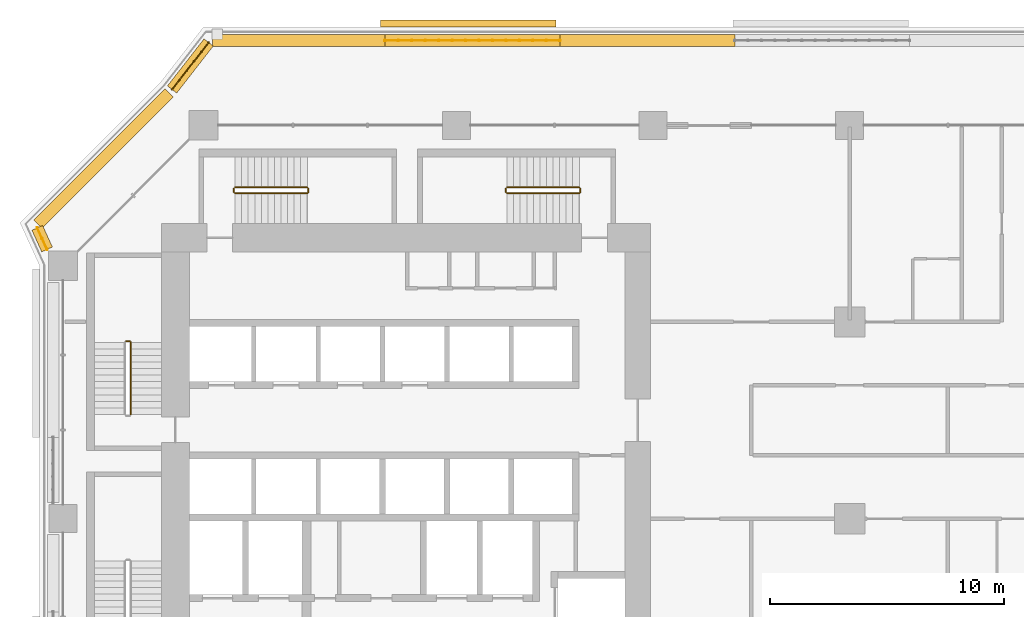
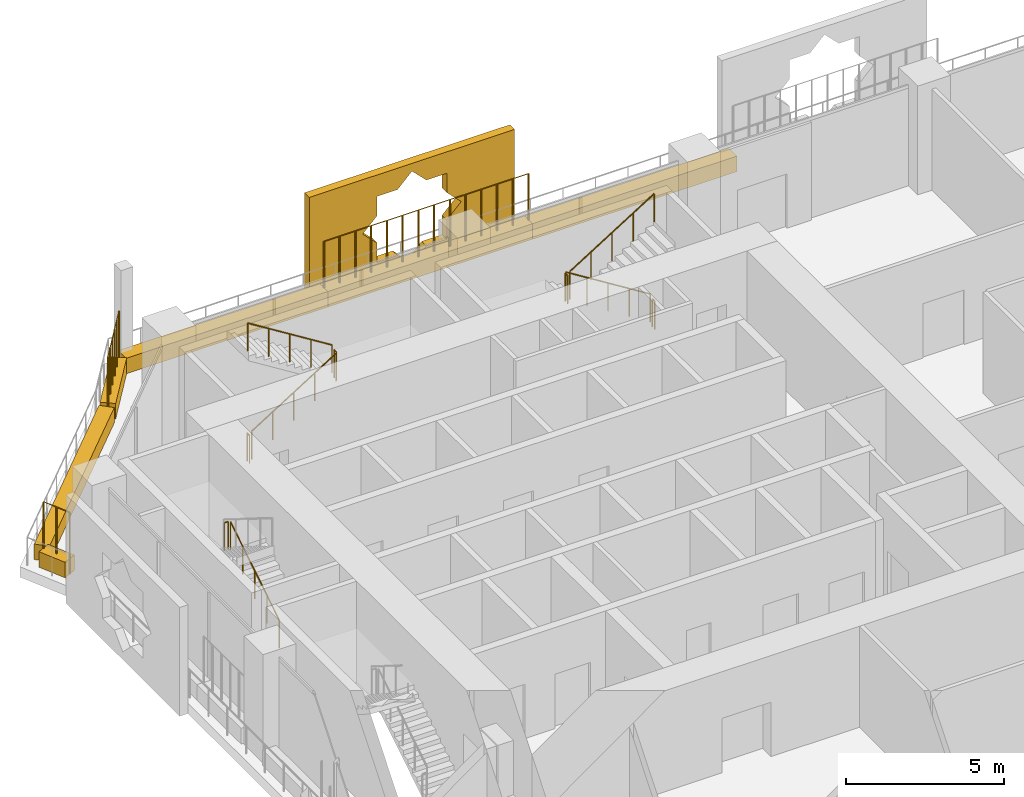
# One storey, part 25 of 27: 13 railings, 7 coverings.
"""IFC4 building model written with IfcOpenShell, lengths in metres."""

from ifc_helpers import new_model, si_unit, direction, frame, origin, origin_2d, place, context, subcontext, project, spatial, polyline, rectangle, circle, outline, extrude, material, material_profile, profile_set, type_object, element, save


model = new_model("IFC4")

# Units and contexts
model_context = context("Model", 3, precision=1e-05, world=origin(), true_north=direction((0.0, 1.0)))
body_context = subcontext(model_context, "Body", "Model", "MODEL_VIEW")
ifc_project = project(units=[si_unit("LENGTHUNIT", "METRE"), si_unit("AREAUNIT", "SQUARE_METRE"), si_unit("VOLUMEUNIT", "CUBIC_METRE"), si_unit("PLANEANGLEUNIT", "RADIAN"), si_unit("MASSUNIT", "GRAM", prefix="KILO")], contexts=[model_context])

# Site, building, storey
site_placement = place(None, origin())
site = spatial("IfcSite", under=ifc_project, at=site_placement, CompositionType="ELEMENT")
building_placement = place(site_placement, origin())
building = spatial("IfcBuilding", under=site, at=building_placement, Name="Kawkab Arch Medical Tower", CompositionType="ELEMENT")
storey_placement = place(building_placement, frame((0.0, 0.0, 85.39990234375)))
storey = spatial("IfcBuildingStorey", under=building, at=storey_placement, Name="L19", CompositionType="ELEMENT", Elevation=85.39990234375)

# Coverings
ifc_material_1 = material(Name="Bronze anodised aluminium mashrabiya panel, eight-point star pattern", Category="aluminium")
ifc_material_profile_1 = material_profile(ifc_material_1, outline(polyline([(-3.75, -2.10009765625), (3.75, -2.10009765625), (3.75, 2.10009765625), (-3.75, 2.10009765625), (-3.75, -2.10009765625)]), holes=[polyline([(1.800048828125, 0.0), (1.272705078125, 0.527099609375), (1.272705078125, 1.272705078125), (0.527099609375, 1.272705078125), (0.0, 1.800048828125), (-0.527099609375, 1.272705078125), (-1.272705078125, 1.272705078125), (-1.272705078125, 0.527099609375), (-1.800048828125, 0.0), (-1.272705078125, -0.527099609375), (-1.272705078125, -1.272705078125), (-0.527099609375, -1.272705078125), (0.0, -1.800048828125), (0.527099609375, -1.272705078125), (1.272705078125, -1.272705078125), (1.272705078125, -0.527099609375), (1.800048828125, 0.0)])]), Name="Mashrabiya panel 7500x4200")
ifc_profile_set_1 = profile_set([ifc_material_profile_1], Name="Bronze anodised aluminium mashrabiya panel, eight-point star pattern")
covering_type_1 = type_object("IfcCoveringType", Name="Mashrabiya panel 7500 x 4200", PredefinedType="USERDEFINED", material=ifc_profile_set_1)
covering_1_placement = place(storey_placement, frame((17.30322265625, 4.199951171875, 1.7001953125), z_axis=(0.0, 1.0, 0.0), x_axis=(-1.0, 0.0, 0.0)))
element("IfcCovering", 1, at=covering_1_placement, inside=storey, type_object=covering_type_1, Name="Mashrabiya panel L19.LOG-01-01.6", ObjectType="SCREEN", PredefinedType="USERDEFINED", context=body_context, shape_type="SweptSolid", body=[
    extrude(outline(polyline([(-3.75, -2.10009765625), (3.75, -2.10009765625), (3.75, 2.10009765625), (-3.75, 2.10009765625), (-3.75, -2.10009765625)]), holes=[polyline([(1.800048828125, 0.0), (1.272705078125, 0.527099609375), (1.272705078125, 1.272705078125), (0.527099609375, 1.272705078125), (0.0, 1.800048828125), (-0.527099609375, 1.272705078125), (-1.272705078125, 1.272705078125), (-1.272705078125, 0.527099609375), (-1.800048828125, 0.0), (-1.272705078125, -0.527099609375), (-1.272705078125, -1.272705078125), (-0.527099609375, -1.272705078125), (0.0, -1.800048828125), (0.527099609375, -1.272705078125), (1.272705078125, -1.272705078125), (1.272705078125, -0.527099609375), (1.800048828125, 0.0)])]), origin(), (0.0, 0.0, 1.0), 0.300048828125),
])
ifc_material_2 = material(Name="Planting soil in a precast trough", Category="concrete")
ifc_material_profile_2 = material_profile(ifc_material_2, rectangle(XDim=0.5, YDim=0.60009765625, at=origin_2d()), Name="Trough 500x600")
ifc_profile_set_2 = profile_set([ifc_material_profile_2], Name="Planting soil in a precast trough")
covering_type_2 = type_object("IfcCoveringType", Name="Planter trough 500 x 600", PredefinedType="USERDEFINED", material=ifc_profile_set_2)
covering_2_placement = place(storey_placement, frame((-0.680908203125, -5.302001953125, 0.300048828125), z_axis=(-0.415071571878, 0.909788761317, 0.0), x_axis=(-0.909788761317, -0.415071571878, 0.0)))
element("IfcCovering", 2, at=covering_2_placement, inside=storey, type_object=covering_type_2, Name="Planter L19.LOG-01-01.17", ObjectType="PLANTER", PredefinedType="USERDEFINED", context=body_context, shape_type="SweptSolid", body=[
    extrude(rectangle(XDim=0.5, YDim=0.60009765625, at=origin_2d()), origin(), (0.0, 0.0, 1.0), 1.0146484375),
])
covering_3_placement = place(storey_placement, frame((-1.072998046875, -4.217041015625, 0.300048828125), z_axis=(0.707106781187, 0.707106781187, 0.0), x_axis=(-0.707106781187, 0.707106781187, 0.0)))
element("IfcCovering", 3, at=covering_3_placement, inside=storey, type_object=covering_type_2, Name="Planter L19.LOG-01-01.18", ObjectType="PLANTER", PredefinedType="USERDEFINED", context=body_context, shape_type="SweptSolid", body=[
    extrude(rectangle(XDim=0.5, YDim=0.60009765625, at=origin_2d()), origin(), (0.0, 0.0, 1.0), 7.919677734375),
])
covering_4_placement = place(storey_placement, frame((4.658935546875, 1.531982421875, 0.300048828125), z_axis=(0.61404021143, 0.789274742246, 0.0), x_axis=(-0.789274742246, 0.61404021143, 0.0)))
element("IfcCovering", 4, at=covering_4_placement, inside=storey, type_object=covering_type_2, Name="Planter L19.LOG-01-01.19", ObjectType="PLANTER", PredefinedType="USERDEFINED", context=body_context, shape_type="SweptSolid", body=[
    extrude(rectangle(XDim=0.5, YDim=0.60009765625, at=origin_2d()), origin(), (0.0, 0.0, 1.0), 2.54541015625),
])
covering_5_placement = place(storey_placement, frame((6.384033203125, 3.6201171875, 0.300048828125), z_axis=(1.0, 0.0, 0.0), x_axis=(0.0, 1.0, 0.0)))
element("IfcCovering", 5, at=covering_5_placement, inside=storey, type_object=covering_type_2, Name="Planter L19.LOG-01-01.20", ObjectType="PLANTER", PredefinedType="USERDEFINED", context=body_context, shape_type="SweptSolid", body=[
    extrude(rectangle(XDim=0.5, YDim=0.60009765625, at=origin_2d()), origin(), (0.0, 0.0, 1.0), 7.369873046875),
])
covering_6_placement = place(storey_placement, frame((13.75390625, 3.6201171875, 0.300048828125), z_axis=(1.0, 0.0, 0.0), x_axis=(0.0, 1.0, 0.0)))
element("IfcCovering", 6, at=covering_6_placement, inside=storey, type_object=covering_type_2, Name="Planter L19.LOG-01-01.21", ObjectType="PLANTER", PredefinedType="USERDEFINED", context=body_context, shape_type="SweptSolid", body=[
    extrude(rectangle(XDim=0.5, YDim=0.60009765625, at=origin_2d()), origin(), (0.0, 0.0, 1.0), 7.47021484375),
])
covering_7_placement = place(storey_placement, frame((21.22412109375, 3.6201171875, 0.300048828125), z_axis=(1.0, 0.0, 0.0), x_axis=(0.0, 1.0, 0.0)))
element("IfcCovering", 7, at=covering_7_placement, inside=storey, type_object=covering_type_2, Name="Planter L19.LOG-01-01.22", ObjectType="PLANTER", PredefinedType="USERDEFINED", context=body_context, shape_type="SweptSolid", body=[
    extrude(rectangle(XDim=0.5, YDim=0.60009765625, at=origin_2d()), origin(), (0.0, 0.0, 1.0), 7.470947265625),
])

# Railings
ifc_material_3 = material(Name="Bronze anodised aluminium trellis for climbing plants", Category="aluminium")
railing_type_1 = type_object("IfcRailingType", Name="Planting trellis 2400", PredefinedType="USERDEFINED", material=ifc_material_3)
railing_1_placement = place(storey_placement, frame((-0.680908203125, -5.302001953125, 0.0)))
element("IfcRailing", 8, at=railing_1_placement, inside=storey, type_object=railing_type_1, Name="Planting trellis L19.LOG-01-01.17", ObjectType="TRELLIS", PredefinedType="USERDEFINED", context=body_context, shape_type="SweptSolid", body=[
    extrude(circle(Radius=0.01513671875, at=origin_2d()), frame((0.0, 0.0, 2.384765625), z_axis=(-0.415071571878, 0.909788761317, 0.0), x_axis=(-0.909788761317, -0.415071571878, 0.0)), (0.0, 0.0, 1.0), 1.0146484375),
    extrude(circle(Radius=0.030029296875, at=origin_2d()), origin(), (0.0, 0.0, 1.0), 2.369873046875),
    extrude(circle(Radius=0.030029296875, at=origin_2d()), frame((-0.21044921875, 0.46142578125, 0.0)), (0.0, 0.0, 1.0), 2.369873046875),
    extrude(circle(Radius=0.030029296875, at=origin_2d()), frame((-0.421142578125, 0.923095703125, 0.0)), (0.0, 0.0, 1.0), 2.369873046875),
])
railing_2_placement = place(storey_placement, frame((4.658935546875, 1.531982421875, 0.0)))
element("IfcRailing", 9, at=railing_2_placement, inside=storey, type_object=railing_type_1, Name="Planting trellis L19.LOG-01-01.19", ObjectType="TRELLIS", PredefinedType="USERDEFINED", context=body_context, shape_type="SweptSolid", body=[
    extrude(circle(Radius=0.01513671875, at=origin_2d()), frame((0.0, 0.0, 2.384765625), z_axis=(0.61404021143, 0.789274742246, 0.0), x_axis=(-0.789274742246, 0.61404021143, 0.0)), (0.0, 0.0, 1.0), 2.54541015625),
    extrude(circle(Radius=0.030029296875, at=origin_2d()), origin(), (0.0, 0.0, 1.0), 2.369873046875),
    extrude(circle(Radius=0.030029296875, at=origin_2d()), frame((0.3125, 0.40185546875, 0.0)), (0.0, 0.0, 1.0), 2.369873046875),
    extrude(circle(Radius=0.030029296875, at=origin_2d()), frame((0.625244140625, 0.8037109375, 0.0)), (0.0, 0.0, 1.0), 2.369873046875),
    extrude(circle(Radius=0.030029296875, at=origin_2d()), frame((0.937744140625, 1.205322265625, 0.0)), (0.0, 0.0, 1.0), 2.369873046875),
    extrude(circle(Radius=0.030029296875, at=origin_2d()), frame((1.25048828125, 1.607177734375, 0.0)), (0.0, 0.0, 1.0), 2.369873046875),
    extrude(circle(Radius=0.030029296875, at=origin_2d()), frame((1.56298828125, 2.009033203125, 0.0)), (0.0, 0.0, 1.0), 2.369873046875),
])
railing_3_placement = place(storey_placement, frame((13.75390625, 3.6201171875, 0.0)))
element("IfcRailing", 10, at=railing_3_placement, inside=storey, type_object=railing_type_1, Name="Planting trellis L19.LOG-01-01.21", ObjectType="TRELLIS", PredefinedType="USERDEFINED", context=body_context, shape_type="SweptSolid", body=[
    extrude(circle(Radius=0.01513671875, at=origin_2d()), frame((0.0, 0.0, 2.384765625), z_axis=(1.0, 0.0, 0.0), x_axis=(0.0, 1.0, 0.0)), (0.0, 0.0, 1.0), 7.47021484375),
    extrude(circle(Radius=0.030029296875, at=origin_2d()), origin(), (0.0, 0.0, 1.0), 2.369873046875),
    extrude(circle(Radius=0.030029296875, at=origin_2d()), frame((0.57470703125, 0.0, 0.0)), (0.0, 0.0, 1.0), 2.369873046875),
    extrude(circle(Radius=0.030029296875, at=origin_2d()), frame((1.149169921875, 0.0, 0.0)), (0.0, 0.0, 1.0), 2.369873046875),
    extrude(circle(Radius=0.030029296875, at=origin_2d()), frame((1.723876953125, 0.0, 0.0)), (0.0, 0.0, 1.0), 2.369873046875),
    extrude(circle(Radius=0.030029296875, at=origin_2d()), frame((2.298583984375, 0.0, 0.0)), (0.0, 0.0, 1.0), 2.369873046875),
    extrude(circle(Radius=0.030029296875, at=origin_2d()), frame((2.873046875, 0.0, 0.0)), (0.0, 0.0, 1.0), 2.369873046875),
    extrude(circle(Radius=0.030029296875, at=origin_2d()), frame((3.44775390625, 0.0, 0.0)), (0.0, 0.0, 1.0), 2.369873046875),
    extrude(circle(Radius=0.030029296875, at=origin_2d()), frame((4.0224609375, 0.0, 0.0)), (0.0, 0.0, 1.0), 2.369873046875),
    extrude(circle(Radius=0.030029296875, at=origin_2d()), frame((4.59716796875, 0.0, 0.0)), (0.0, 0.0, 1.0), 2.369873046875),
    extrude(circle(Radius=0.030029296875, at=origin_2d()), frame((5.171630859375, 0.0, 0.0)), (0.0, 0.0, 1.0), 2.369873046875),
    extrude(circle(Radius=0.030029296875, at=origin_2d()), frame((5.746337890625, 0.0, 0.0)), (0.0, 0.0, 1.0), 2.369873046875),
    extrude(circle(Radius=0.030029296875, at=origin_2d()), frame((6.321044921875, 0.0, 0.0)), (0.0, 0.0, 1.0), 2.369873046875),
    extrude(circle(Radius=0.030029296875, at=origin_2d()), frame((6.8955078125, 0.0, 0.0)), (0.0, 0.0, 1.0), 2.369873046875),
    extrude(circle(Radius=0.030029296875, at=origin_2d()), frame((7.47021484375, 0.0, 0.0)), (0.0, 0.0, 1.0), 2.369873046875),
])
ifc_material_4 = material(Name="Stainless steel", Category="steel")
railing_type_2 = type_object("IfcRailingType", Name="Stair guard 1100", PredefinedType="GUARDRAIL", material=ifc_material_4)
railing_4_placement = place(storey_placement, frame((2.89990234375, -12.35009765625, 0.175048828125)))
element("IfcRailing", 11, at=railing_4_placement, inside=storey, type_object=railing_type_2, Name="L19 ST1 stair guard 1", PredefinedType="GUARDRAIL", context=body_context, shape_type="SweptSolid", body=[
    extrude(circle(Radius=0.02392578125, at=origin_2d()), frame((0.0, 0.0, 1.076171875), z_axis=(0.0, 0.847998304005, 0.529998940003), x_axis=(-1.0, 0.0, 0.0)), (0.0, 0.0, 1.0), 3.632080078125),
    extrude(circle(Radius=0.02099609375, at=origin_2d()), origin(), (0.0, 0.0, 1.0), 1.052001953125),
    extrude(circle(Radius=0.02099609375, at=origin_2d()), frame((0.0, 0.77001953125, 0.481201171875)), (0.0, 0.0, 1.0), 1.052001953125),
    extrude(circle(Radius=0.02099609375, at=origin_2d()), frame((0.0, 1.5400390625, 0.96240234375)), (0.0, 0.0, 1.0), 1.052001953125),
    extrude(circle(Radius=0.02099609375, at=origin_2d()), frame((0.0, 2.31005859375, 1.44384765625)), (0.0, 0.0, 1.0), 1.052001953125),
    extrude(circle(Radius=0.02099609375, at=origin_2d()), frame((0.0, 3.080078125, 1.925048828125)), (0.0, 0.0, 1.0), 1.052001953125),
])
railing_5_placement = place(storey_placement, frame((2.85009765625, -9.219970703125, 2.10009765625)))
element("IfcRailing", 12, at=railing_5_placement, inside=storey, type_object=railing_type_2, Name="L19 ST1 stair guard 2", PredefinedType="GUARDRAIL", context=body_context, shape_type="SweptSolid", body=[
    extrude(circle(Radius=0.02392578125, at=origin_2d()), frame((0.0, 0.0, 1.076171875), z_axis=(-1.0, 0.0, 0.0), x_axis=(0.0, -1.0, 0.0)), (0.0, 0.0, 1.0), 0.150146484375),
    extrude(circle(Radius=0.02099609375, at=origin_2d()), origin(), (0.0, 0.0, 1.0), 1.052001953125),
    extrude(circle(Radius=0.02099609375, at=origin_2d()), frame((-0.150146484375, 0.0, 0.0)), (0.0, 0.0, 1.0), 1.052001953125),
])
railing_6_placement = place(storey_placement, frame((7.35009765625, -2.89990234375, 0.175048828125)))
element("IfcRailing", 13, at=railing_6_placement, inside=storey, type_object=railing_type_2, Name="L19 ST3 stair guard 1", PredefinedType="GUARDRAIL", context=body_context, shape_type="SweptSolid", body=[
    extrude(circle(Radius=0.02392578125, at=origin_2d()), frame((0.0, 0.0, 1.076171875), z_axis=(0.847979421464, 0.0, 0.530029150871), x_axis=(0.0, 1.0, 0.0)), (0.0, 0.0, 1.0), 3.632080078125),
    extrude(circle(Radius=0.02099609375, at=origin_2d()), origin(), (0.0, 0.0, 1.0), 1.052001953125),
    extrude(circle(Radius=0.02099609375, at=origin_2d()), frame((0.77001953125, 0.0, 0.481201171875)), (0.0, 0.0, 1.0), 1.052001953125),
    extrude(circle(Radius=0.02099609375, at=origin_2d()), frame((1.5400390625, 0.0, 0.96240234375)), (0.0, 0.0, 1.0), 1.052001953125),
    extrude(circle(Radius=0.02099609375, at=origin_2d()), frame((2.309814453125, 0.0, 1.44384765625)), (0.0, 0.0, 1.0), 1.052001953125),
    extrude(circle(Radius=0.02099609375, at=origin_2d()), frame((3.079833984375, 0.0, 1.925048828125)), (0.0, 0.0, 1.0), 1.052001953125),
])
railing_7_placement = place(storey_placement, frame((10.47998046875, -2.85009765625, 2.10009765625)))
element("IfcRailing", 14, at=railing_7_placement, inside=storey, type_object=railing_type_2, Name="L19 ST3 stair guard 2", PredefinedType="GUARDRAIL", context=body_context, shape_type="SweptSolid", body=[
    extrude(circle(Radius=0.02392578125, at=origin_2d()), frame((0.0, 0.0, 1.076171875), z_axis=(0.0, 1.0, 0.0), x_axis=(-1.0, 0.0, 0.0)), (0.0, 0.0, 1.0), 0.150146484375),
    extrude(circle(Radius=0.02099609375, at=origin_2d()), origin(), (0.0, 0.0, 1.0), 1.052001953125),
    extrude(circle(Radius=0.02099609375, at=origin_2d()), frame((0.0, 0.150146484375, 0.0)), (0.0, 0.0, 1.0), 1.052001953125),
])
railing_8_placement = place(storey_placement, frame((10.429931640625, -2.64990234375, 2.275146484375)))
element("IfcRailing", 15, at=railing_8_placement, inside=storey, type_object=railing_type_2, Name="L19 ST3 stair guard 3", PredefinedType="GUARDRAIL", context=body_context, shape_type="SweptSolid", body=[
    extrude(circle(Radius=0.02392578125, at=origin_2d()), frame((0.0, 0.0, 1.076171875), z_axis=(-0.847979421464, 0.0, 0.530029150871), x_axis=(0.0, -1.0, 0.0)), (0.0, 0.0, 1.0), 3.632080078125),
    extrude(circle(Radius=0.02099609375, at=origin_2d()), origin(), (0.0, 0.0, 1.0), 1.052001953125),
    extrude(circle(Radius=0.02099609375, at=origin_2d()), frame((-0.77001953125, 0.0, 0.481201171875)), (0.0, 0.0, 1.0), 1.052001953125),
    extrude(circle(Radius=0.02099609375, at=origin_2d()), frame((-1.5400390625, 0.0, 0.96240234375)), (0.0, 0.0, 1.0), 1.052001953125),
    extrude(circle(Radius=0.02099609375, at=origin_2d()), frame((-2.309814453125, 0.0, 1.44384765625)), (0.0, 0.0, 1.0), 1.052001953125),
    extrude(circle(Radius=0.02099609375, at=origin_2d()), frame((-3.079833984375, 0.0, 1.925048828125)), (0.0, 0.0, 1.0), 1.052001953125),
])
railing_9_placement = place(storey_placement, frame((7.300048828125, -2.85009765625, 0.0)))
element("IfcRailing", 16, at=railing_9_placement, inside=storey, type_object=railing_type_2, Name="L19 ST3 stair guard 4", PredefinedType="GUARDRAIL", context=body_context, shape_type="SweptSolid", body=[
    extrude(circle(Radius=0.02392578125, at=origin_2d()), frame((0.0, 0.0, 1.076171875), z_axis=(0.0, 1.0, 0.0), x_axis=(-1.0, 0.0, 0.0)), (0.0, 0.0, 1.0), 0.150146484375),
    extrude(circle(Radius=0.02099609375, at=origin_2d()), origin(), (0.0, 0.0, 1.0), 1.052001953125),
    extrude(circle(Radius=0.02099609375, at=origin_2d()), frame((0.0, 0.150146484375, 0.0)), (0.0, 0.0, 1.0), 1.052001953125),
])
railing_10_placement = place(storey_placement, frame((22.050048828125, -2.64990234375, 0.175048828125)))
element("IfcRailing", 17, at=railing_10_placement, inside=storey, type_object=railing_type_2, Name="L19 ST4 stair guard 1", PredefinedType="GUARDRAIL", context=body_context, shape_type="SweptSolid", body=[
    extrude(circle(Radius=0.02392578125, at=origin_2d()), frame((0.0, 0.0, 1.076171875), z_axis=(-0.847998304005, 0.0, 0.529998940003), x_axis=(0.0, -1.0, 0.0)), (0.0, 0.0, 1.0), 3.632080078125),
    extrude(circle(Radius=0.02099609375, at=origin_2d()), origin(), (0.0, 0.0, 1.0), 1.052001953125),
    extrude(circle(Radius=0.02099609375, at=origin_2d()), frame((-0.77001953125, 0.0, 0.481201171875)), (0.0, 0.0, 1.0), 1.052001953125),
    extrude(circle(Radius=0.02099609375, at=origin_2d()), frame((-1.5400390625, 0.0, 0.96240234375)), (0.0, 0.0, 1.0), 1.052001953125),
    extrude(circle(Radius=0.02099609375, at=origin_2d()), frame((-2.31005859375, 0.0, 1.44384765625)), (0.0, 0.0, 1.0), 1.052001953125),
    extrude(circle(Radius=0.02099609375, at=origin_2d()), frame((-3.080078125, 0.0, 1.925048828125)), (0.0, 0.0, 1.0), 1.052001953125),
])
railing_11_placement = place(storey_placement, frame((18.919921875, -2.699951171875, 2.10009765625)))
element("IfcRailing", 18, at=railing_11_placement, inside=storey, type_object=railing_type_2, Name="L19 ST4 stair guard 2", PredefinedType="GUARDRAIL", context=body_context, shape_type="SweptSolid", body=[
    extrude(circle(Radius=0.02392578125, at=origin_2d()), frame((0.0, 0.0, 1.076171875), z_axis=(0.0, -1.0, 0.0), x_axis=(1.0, 0.0, 0.0)), (0.0, 0.0, 1.0), 0.150146484375),
    extrude(circle(Radius=0.02099609375, at=origin_2d()), origin(), (0.0, 0.0, 1.0), 1.052001953125),
    extrude(circle(Radius=0.02099609375, at=origin_2d()), frame((0.0, -0.150146484375, 0.0)), (0.0, 0.0, 1.0), 1.052001953125),
])
railing_12_placement = place(storey_placement, frame((18.969970703125, -2.89990234375, 2.275146484375)))
element("IfcRailing", 19, at=railing_12_placement, inside=storey, type_object=railing_type_2, Name="L19 ST4 stair guard 3", PredefinedType="GUARDRAIL", context=body_context, shape_type="SweptSolid", body=[
    extrude(circle(Radius=0.02392578125, at=origin_2d()), frame((0.0, 0.0, 1.076171875), z_axis=(0.847998304005, 0.0, 0.529998940003), x_axis=(0.0, 1.0, 0.0)), (0.0, 0.0, 1.0), 3.632080078125),
    extrude(circle(Radius=0.02099609375, at=origin_2d()), origin(), (0.0, 0.0, 1.0), 1.052001953125),
    extrude(circle(Radius=0.02099609375, at=origin_2d()), frame((0.77001953125, 0.0, 0.481201171875)), (0.0, 0.0, 1.0), 1.052001953125),
    extrude(circle(Radius=0.02099609375, at=origin_2d()), frame((1.5400390625, 0.0, 0.96240234375)), (0.0, 0.0, 1.0), 1.052001953125),
    extrude(circle(Radius=0.02099609375, at=origin_2d()), frame((2.31005859375, 0.0, 1.44384765625)), (0.0, 0.0, 1.0), 1.052001953125),
    extrude(circle(Radius=0.02099609375, at=origin_2d()), frame((3.080078125, 0.0, 1.925048828125)), (0.0, 0.0, 1.0), 1.052001953125),
])
railing_13_placement = place(storey_placement, frame((22.10009765625, -2.699951171875, 0.0)))
element("IfcRailing", 20, at=railing_13_placement, inside=storey, type_object=railing_type_2, Name="L19 ST4 stair guard 4", PredefinedType="GUARDRAIL", context=body_context, shape_type="SweptSolid", body=[
    extrude(circle(Radius=0.02392578125, at=origin_2d()), frame((0.0, 0.0, 1.076171875), z_axis=(0.0, -1.0, 0.0), x_axis=(1.0, 0.0, 0.0)), (0.0, 0.0, 1.0), 0.150146484375),
    extrude(circle(Radius=0.02099609375, at=origin_2d()), origin(), (0.0, 0.0, 1.0), 1.052001953125),
    extrude(circle(Radius=0.02099609375, at=origin_2d()), frame((0.0, -0.150146484375, 0.0)), (0.0, 0.0, 1.0), 1.052001953125),
])

save(model, "model.ifc")
